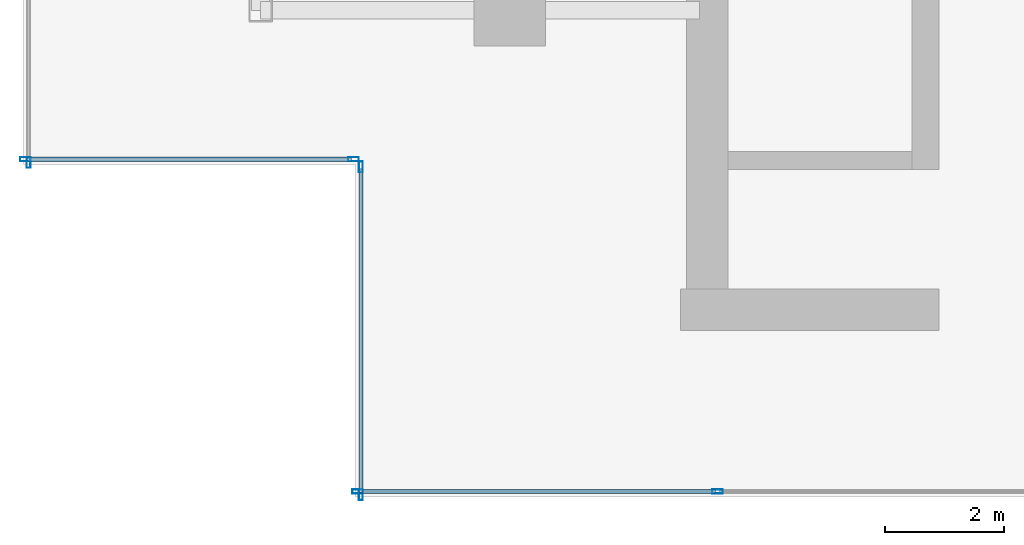
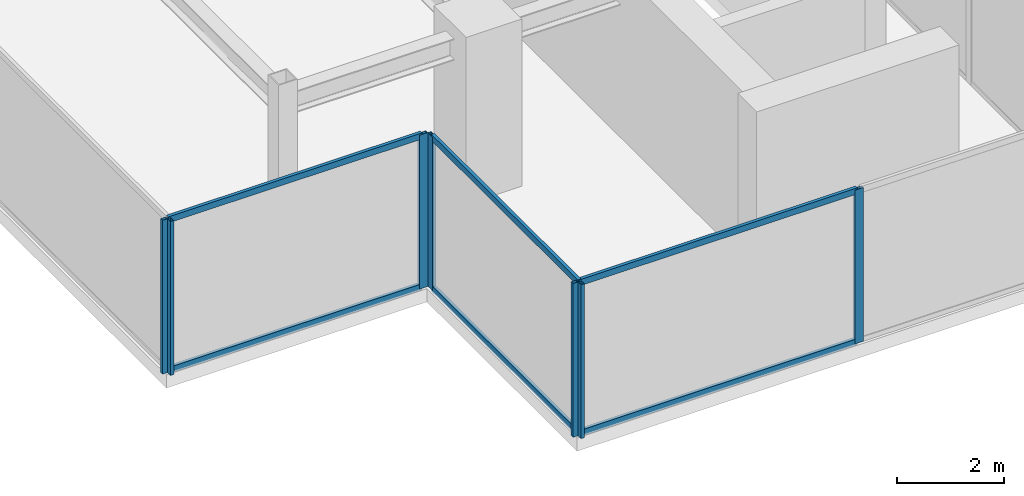
# One storey, part 2 of 25: 13 members, 4 elements without a shape of their own.
"""IFC4 building model written with IfcOpenShell, lengths in metres."""

import ifcopenshell
import ifcopenshell.guid

model = None  # the IFC model being written
_history = None  # IfcOwnerHistory: only IFC2X3 demands one
_inside = {}  # id of a spatial element -> (the spatial element, [elements in it])
_under = {}  # id of a project, library or spatial element -> (it, [spatial elements below it])
_declared = {}  # id of a project -> (the project, [libraries it declares])
_typed = {}  # id of a type object -> (the type object, [elements of that type])
_made_of = {}  # id of a material, layer set ... -> (it, [elements and type objects made of it])


def new_model(schema):
    """Start an empty IFC model of exactly this schema.

    Asked for "IFC4X3", IfcOpenShell would pick the latest addendum, in which some entities
    have other attributes; the version numbers below select the first issue.
    IFC2X3 requires an IfcOwnerHistory on every rooted entity: one is made here for all.
    """
    global model, _history
    if schema == "IFC4X3":
        model = ifcopenshell.file(schema_version=(4, 3, 0, 0))
    else:
        model = ifcopenshell.file(schema=schema)
    _inside.clear()
    _under.clear()
    _declared.clear()
    _typed.clear()
    _made_of.clear()
    _history = None
    if model.schema == "IFC2X3":
        org = make("IfcOrganization", Name="unknown")
        user = make(
            "IfcPersonAndOrganization",
            ThePerson=make("IfcPerson", FamilyName="unknown"),
            TheOrganization=org,
        )
        app = make(
            "IfcApplication",
            ApplicationDeveloper=org,
            Version="unknown",
            ApplicationFullName="unknown",
            ApplicationIdentifier="unknown",
        )
        _history = make(
            "IfcOwnerHistory",
            OwningUser=user,
            OwningApplication=app,
            ChangeAction="ADDED",
            CreationDate=0,
        )
    return model


def make(cls, **values):
    """One entity of the class cls with the attributes given. An attribute that is None is left unset."""
    return model.create_entity(
        cls, **{name: value for name, value in values.items() if value is not None}
    )


def rooted(cls, **values):
    """An entity with a GlobalId (a new one), such as an element, a storey or a relation."""
    return make(cls, GlobalId=ifcopenshell.guid.new(), OwnerHistory=_history, **values)


def si_unit(unit_type, name, prefix=None):
    """IfcSIUnit, for example si_unit("LENGTHUNIT", "METRE", prefix="MILLI")."""
    return make("IfcSIUnit", UnitType=unit_type, Prefix=prefix, Name=name)


def assignment(units):
    """IfcUnitAssignment: the units of a project."""
    return None if units is None else make("IfcUnitAssignment", Units=units)


def point(xyz):
    """IfcCartesianPoint."""
    return None if xyz is None else make("IfcCartesianPoint", Coordinates=xyz)


def direction(xyz):
    """IfcDirection."""
    return None if xyz is None else make("IfcDirection", DirectionRatios=xyz)


def frame(location, z_axis=None, x_axis=None):
    """IfcAxis2Placement3D, a coordinate frame: its origin and axes. An axis left out is left unset."""
    return make(
        "IfcAxis2Placement3D",
        Location=point(location),
        Axis=direction(z_axis),
        RefDirection=direction(x_axis),
    )


def frame_2d(location, x_axis=None):
    """IfcAxis2Placement2D, a coordinate frame in the plane: its origin and x axis."""
    return make(
        "IfcAxis2Placement2D", Location=point(location), RefDirection=direction(x_axis)
    )


def origin():
    """The frame at (0, 0, 0) with its axes left unset."""
    return frame((0.0, 0.0, 0.0))


def origin_2d():
    """The frame at (0, 0) in the plane with its x axis left unset."""
    return frame_2d((0.0, 0.0))


def place(relative_to, where):
    """IfcLocalPlacement: puts the frame where relative to a parent placement (None: the world)."""
    return make(
        "IfcLocalPlacement", PlacementRelTo=relative_to, RelativePlacement=where
    )


def context(
    kind, dimensions, precision=None, world=None, true_north=None, identifier=None
):
    """IfcGeometricRepresentationContext, for example the 3D "Model" context."""
    return make(
        "IfcGeometricRepresentationContext",
        ContextIdentifier=identifier,
        ContextType=kind,
        CoordinateSpaceDimension=dimensions,
        Precision=precision,
        WorldCoordinateSystem=world,
        TrueNorth=true_north,
    )


def subcontext(parent, identifier, kind, view, scale=None):
    """IfcGeometricRepresentationSubContext, for example "Body" below "Model"."""
    return make(
        "IfcGeometricRepresentationSubContext",
        ContextIdentifier=identifier,
        ContextType=kind,
        ParentContext=parent,
        TargetScale=scale,
        TargetView=view,
    )


def project(units=None, contexts=None):
    """IfcProject with its units and contexts."""
    return rooted(
        "IfcProject",
        Name="project",
        RepresentationContexts=contexts,
        UnitsInContext=assignment(units),
    )


def spatial(cls, under=None, at=None, **own):
    """A site, building, storey or space (cls), placed at a placement, below another one or the project."""
    s = rooted(cls, ObjectPlacement=at, **own)
    if under is not None:
        _under.setdefault(under.id(), (under, []))[1].append(s)
    return s


def profile(cls, at=None, kind="AREA", **sizes):
    """A parametric profile (cls). Its sizes go by their IFC names, for example OverallWidth=200.0."""
    return make(cls, ProfileType=kind, Position=at, **sizes)


def hollow_rectangle(**sizes):
    """IfcRectangleHollowProfileDef."""
    return profile("IfcRectangleHollowProfileDef", **sizes)


def extrude(swept, where, along, depth):
    """IfcExtrudedAreaSolid: the profile swept, set in the frame where, extruded along a direction by depth."""
    return make(
        "IfcExtrudedAreaSolid",
        SweptArea=swept,
        Position=where,
        ExtrudedDirection=direction(along),
        Depth=depth,
    )


def shape(context_of_items, identifier, shape_type, items):
    """IfcShapeRepresentation: the items that make up one representation, for example the "Body"."""
    return make(
        "IfcShapeRepresentation",
        ContextOfItems=context_of_items,
        RepresentationIdentifier=identifier,
        RepresentationType=shape_type,
        Items=items,
    )


def source(mapping_origin, context_of_items, identifier, shape_type, items):
    """IfcRepresentationMap: a shape defined once, which mapped items show again and again."""
    return make(
        "IfcRepresentationMap",
        MappingOrigin=mapping_origin,
        MappedRepresentation=shape(context_of_items, identifier, shape_type, items),
    )


def transform(
    local_origin,
    x_axis=None,
    y_axis=None,
    z_axis=None,
    scale=None,
    scale2=None,
    scale3=None,
    uniform=True,
):
    """IfcCartesianTransformationOperator3D, or its non-uniform kind. x_axis, y_axis, z_axis: its Axis1, 2, 3."""
    if uniform:
        return make(
            "IfcCartesianTransformationOperator3D",
            Axis1=direction(x_axis),
            Axis2=direction(y_axis),
            LocalOrigin=point(local_origin),
            Scale=scale,
            Axis3=direction(z_axis),
        )
    return make(
        "IfcCartesianTransformationOperator3DnonUniform",
        Axis1=direction(x_axis),
        Axis2=direction(y_axis),
        LocalOrigin=point(local_origin),
        Scale=scale,
        Axis3=direction(z_axis),
        Scale2=scale2,
        Scale3=scale3,
    )


def mapped(mapping_source, mapping_target):
    """IfcMappedItem: shows the shape of a source again, moved by a transform."""
    return make(
        "IfcMappedItem", MappingSource=mapping_source, MappingTarget=mapping_target
    )


def material(Name=None, Category=None):
    """IfcMaterial."""
    return make("IfcMaterial", Name=Name, Category=Category)


def material_profile(
    of_material, cross_section, Name=None, Category=None, Priority=None
):
    """IfcMaterialProfile: a cross section and its material."""
    return make(
        "IfcMaterialProfile",
        Name=Name,
        Material=of_material,
        Profile=cross_section,
        Priority=Priority,
        Category=Category,
    )


def profile_set(profiles, Name=None, composite=None):
    """IfcMaterialProfileSet."""
    return make(
        "IfcMaterialProfileSet",
        Name=Name,
        MaterialProfiles=profiles,
        CompositeProfile=composite,
    )


def made_of(thing, what):
    """Note that an element or type object is made of a material, layer set ...; save() writes the relation."""
    if what is not None:
        _made_of.setdefault(what.id(), (what, []))[1].append(thing)
    return thing


def type_object(cls, material=None, **own):
    """A type object (cls), such as IfcWallType, which elements share."""
    return made_of(rooted(cls, **own), material)


def type_shapes(of_type, sources):
    """Give a type object the sources (RepresentationMaps) that its elements show as mapped items."""
    of_type.RepresentationMaps = sources


def element(
    cls,
    number,
    at=None,
    inside=None,
    cuts=None,
    type_object=None,
    material=None,
    context=None,
    identifier="Body",
    shape_type=None,
    held_by="IfcProductDefinitionShape",
    body=None,
    shapes=None,
    **own,
):
    """One element of the class cls, such as IfcWall. Its Tag is "e" and its number.

    at: its placement. inside: the storey or other place that contains it. cuts: it is an
    opening in that element (IfcRelVoidsElement). A single representation is given by context,
    identifier, shape_type and body (its items); several are given by shapes. held_by: the class
    of the entity that holds the representations. save() writes the other relations.
    """
    e = rooted(cls, Tag="e%d" % number, ObjectPlacement=at, **own)
    if body is not None:
        shapes = [shape(context, identifier, shape_type, body)]
    if shapes is not None:
        e.Representation = make(held_by, Representations=shapes)
    if inside is not None:
        _inside.setdefault(inside.id(), (inside, []))[1].append(e)
    if cuts is not None:
        rooted(
            "IfcRelVoidsElement", RelatingBuildingElement=cuts, RelatedOpeningElement=e
        )
    if type_object is not None:
        _typed.setdefault(type_object.id(), (type_object, []))[1].append(e)
    return made_of(e, material)


def aggregate(whole, parts):
    """IfcRelAggregates: a whole, such as a stair, and the parts it consists of."""
    return rooted("IfcRelAggregates", RelatingObject=whole, RelatedObjects=parts)


def save(model, path):
    """Write the relations noted so far, then the file.

    IfcRelAggregates (storeys below a building ...), IfcRelContainedInSpatialStructure (elements
    in a storey), IfcRelDefinesByType, IfcRelAssociatesMaterial and IfcRelDeclares: one each for
    every whole, place, type object, material and project.
    """
    for whole, parts in _under.values():
        aggregate(whole, parts)
    for where, things in _inside.values():
        rooted(
            "IfcRelContainedInSpatialStructure",
            RelatedElements=things,
            RelatingStructure=where,
        )
    for kind, things in _typed.values():
        rooted("IfcRelDefinesByType", RelatedObjects=things, RelatingType=kind)
    for what, things in _made_of.values():
        rooted("IfcRelAssociatesMaterial", RelatedObjects=things, RelatingMaterial=what)
    for by, libraries in _declared.values():
        rooted("IfcRelDeclares", RelatingContext=by, RelatedDefinitions=libraries)
    model.write(path)


model = new_model("IFC4")

# Units and contexts
model_context = context("Model", 3, precision=1e-05, world=origin(), true_north=direction((0.0, 1.0)))
body_context = subcontext(model_context, "Body", "Model", "MODEL_VIEW")
ifc_project = project(units=[si_unit("LENGTHUNIT", "METRE"), si_unit("AREAUNIT", "SQUARE_METRE"), si_unit("VOLUMEUNIT", "CUBIC_METRE"), si_unit("PLANEANGLEUNIT", "RADIAN"), si_unit("MASSUNIT", "GRAM", prefix="KILO")], contexts=[model_context])

# Site, building, storey
site_placement = place(None, origin())
site = spatial("IfcSite", under=ifc_project, at=site_placement, CompositionType="ELEMENT")
building_placement = place(site_placement, origin())
building = spatial("IfcBuilding", under=site, at=building_placement, Name="Krantzveldt Concourse Tower", CompositionType="ELEMENT")
storey_placement = place(building_placement, frame((0.0, 0.0, 370.85009765625)))
storey = spatial("IfcBuildingStorey", under=building, at=storey_placement, Name="L91", CompositionType="ELEMENT", Elevation=370.85009765625)

# Curtain wall, members
ifc_material = material(Name="Anodised aluminium 6063-T6", Category="aluminium")
curtain_wall_type = type_object("IfcCurtainWallType", Name="CW7", PredefinedType="USERDEFINED", material=ifc_material)
curtain_wall_1_placement = place(storey_placement, origin())
curtain_wall_1 = element("IfcCurtainWall", 1, at=curtain_wall_1_placement, inside=storey, type_object=curtain_wall_type, Name="CW-L91-WEST-00", ObjectType="UNITISED CURTAIN WALL", PredefinedType="USERDEFINED")
ifc_material_profile_1 = material_profile(ifc_material, hollow_rectangle(XDim=0.070068359375, YDim=0.179931640625, WallThickness=0.0048828125, at=origin_2d()), Name="Anodised aluminium 6063-T6", Category="aluminium")
ifc_profile_set_1 = profile_set([ifc_material_profile_1], Name="Anodised aluminium 6063-T6 - ALU-MULL 180x70x5")
member_type_1 = type_object("IfcMemberType", Name="CW-MUL-180", PredefinedType="MULLION", material=ifc_profile_set_1)
shared_shape_1 = source(origin(), body_context, "Body", "SweptSolid", [
    extrude(hollow_rectangle(XDim=0.070068359375, YDim=0.179931640625, WallThickness=0.0048828125, at=origin_2d()), origin(), (0.0, 0.0, 1.0), 3.5),
])
type_shapes(member_type_1, [shared_shape_1])
member_1_placement = place(storey_placement, frame((22.635009765625, 7.7900390625, 0.0), z_axis=(0.0, 0.0, 1.0), x_axis=(0.0, 1.0, 0.0)))
member_1 = element("IfcMember", 2, at=member_1_placement, type_object=member_type_1, Name="CW-CRN mullion 1", PredefinedType="MULLION", context=body_context, shape_type="MappedRepresentation", body=[
    mapped(shared_shape_1, transform((0.0, 0.0, 0.0), x_axis=(1.0, 0.0, 0.0), y_axis=(0.0, 1.0, 0.0), z_axis=(0.0, 0.0, 1.0), scale=1.0)),
])
member_2_placement = place(storey_placement, frame((28.699951171875, 7.7900390625, 0.0), z_axis=(0.0, 0.0, 1.0), x_axis=(0.0, 1.0, 0.0)))
member_2 = element("IfcMember", 3, at=member_2_placement, type_object=member_type_1, Name="CW-CRN mullion 2", PredefinedType="MULLION", context=body_context, shape_type="MappedRepresentation", body=[
    mapped(shared_shape_1, transform((0.0, 0.0, 0.0), x_axis=(1.0, 0.0, 0.0), y_axis=(0.0, 1.0, 0.0), z_axis=(0.0, 0.0, 1.0), scale=1.0)),
])

# Curtain wall, member
curtain_wall_2_placement = place(storey_placement, origin())
curtain_wall_2 = element("IfcCurtainWall", 4, at=curtain_wall_2_placement, inside=storey, type_object=curtain_wall_type, Name="CW-L91-WEST-05", ObjectType="UNITISED CURTAIN WALL", PredefinedType="USERDEFINED")
member_3_placement = place(storey_placement, frame((17.090087890625, 13.3349609375, 0.0), z_axis=(0.0, 0.0, 1.0), x_axis=(1.0, 0.0, 0.0)))
member_3 = element("IfcMember", 5, at=member_3_placement, type_object=member_type_1, Name="CW-CRN mullion 5", PredefinedType="MULLION", context=body_context, shape_type="MappedRepresentation", body=[
    mapped(shared_shape_1, transform((0.0, 0.0, 0.0), x_axis=(1.0, 0.0, 0.0), y_axis=(0.0, 1.0, 0.0), z_axis=(0.0, 0.0, 1.0), scale=1.0)),
])
aggregate(curtain_wall_2, [member_3])

# Curtain wall, members
curtain_wall_3_placement = place(storey_placement, origin())
curtain_wall_3 = element("IfcCurtainWall", 6, at=curtain_wall_3_placement, inside=storey, type_object=curtain_wall_type, Name="CW-L91-WEST-06", ObjectType="UNITISED CURTAIN WALL", PredefinedType="USERDEFINED")
member_4_placement = place(storey_placement, frame((17.034912109375, 13.389892578125, 0.0), z_axis=(0.0, 0.0, 1.0), x_axis=(0.0, 1.0, 0.0)))
member_4 = element("IfcMember", 7, at=member_4_placement, type_object=member_type_1, Name="CW-CRN mullion 1", PredefinedType="MULLION", context=body_context, shape_type="MappedRepresentation", body=[
    mapped(shared_shape_1, transform((0.0, 0.0, 0.0), x_axis=(1.0, 0.0, 0.0), y_axis=(0.0, 1.0, 0.0), z_axis=(0.0, 0.0, 1.0), scale=1.0)),
])
member_5_placement = place(storey_placement, frame((22.56494140625, 13.389892578125, 0.0), z_axis=(0.0, 0.0, 1.0), x_axis=(0.0, 1.0, 0.0)))
member_5 = element("IfcMember", 8, at=member_5_placement, type_object=member_type_1, Name="CW-CRN mullion 2", PredefinedType="MULLION", context=body_context, shape_type="MappedRepresentation", body=[
    mapped(shared_shape_1, transform((0.0, 0.0, 0.0), x_axis=(1.0, 0.0, 0.0), y_axis=(0.0, 1.0, 0.0), z_axis=(0.0, 0.0, 1.0), scale=1.0)),
])

curtain_wall_4_placement = place(storey_placement, origin())
curtain_wall_4 = element("IfcCurtainWall", 9, at=curtain_wall_4_placement, inside=storey, type_object=curtain_wall_type, Name="CW-L91-WEST-07", ObjectType="UNITISED CURTAIN WALL", PredefinedType="USERDEFINED")
member_6_placement = place(storey_placement, frame((22.68994140625, 13.264892578125, 0.0), z_axis=(0.0, 0.0, 1.0), x_axis=(1.0, 0.0, 0.0)))
member_6 = element("IfcMember", 10, at=member_6_placement, type_object=member_type_1, Name="CW-CRN mullion 1", PredefinedType="MULLION", context=body_context, shape_type="MappedRepresentation", body=[
    mapped(shared_shape_1, transform((0.0, 0.0, 0.0), x_axis=(1.0, 0.0, 0.0), y_axis=(0.0, 1.0, 0.0), z_axis=(0.0, 0.0, 1.0), scale=1.0)),
])
member_7_placement = place(storey_placement, frame((22.68994140625, 7.735107421875, 0.0), z_axis=(0.0, 0.0, 1.0), x_axis=(1.0, 0.0, 0.0)))
member_7 = element("IfcMember", 11, at=member_7_placement, type_object=member_type_1, Name="CW-CRN mullion 2", PredefinedType="MULLION", context=body_context, shape_type="MappedRepresentation", body=[
    mapped(shared_shape_1, transform((0.0, 0.0, 0.0), x_axis=(1.0, 0.0, 0.0), y_axis=(0.0, 1.0, 0.0), z_axis=(0.0, 0.0, 1.0), scale=1.0)),
])

# Member
ifc_material_profile_2 = material_profile(ifc_material, hollow_rectangle(XDim=0.070068359375, YDim=0.139892578125, WallThickness=0.0048828125, at=origin_2d()), Name="Anodised aluminium 6063-T6", Category="aluminium")
ifc_profile_set_2 = profile_set([ifc_material_profile_2], Name="Anodised aluminium 6063-T6 - ALU-TRAN 140x70x5")
member_type_2 = type_object("IfcMemberType", Name="CW-TRN-150", PredefinedType="USERDEFINED", material=ifc_profile_set_2)
shared_shape_2 = source(origin(), body_context, "Body", "SweptSolid", [
    extrude(hollow_rectangle(XDim=0.070068359375, YDim=0.139892578125, WallThickness=0.0048828125, at=origin_2d()), origin(), (0.0, 0.0, 1.0), 5.4599609375),
])
member_8_placement = place(storey_placement, frame((17.070068359375, 13.389892578125, 0.034912109375), z_axis=(1.0, 0.0, 0.0), x_axis=(0.0, 1.0, 0.0)))
member_8 = element("IfcMember", 12, at=member_8_placement, type_object=member_type_2, Name="CW-CRN transom 1.1", ObjectType="TRANSOM", PredefinedType="USERDEFINED", context=body_context, shape_type="MappedRepresentation", body=[
    mapped(shared_shape_2, transform((0.0, 0.0, 0.0), x_axis=(1.0, 0.0, 0.0), y_axis=(0.0, 1.0, 0.0), z_axis=(0.0, 0.0, 1.0), scale=1.0)),
])

member_9_placement = place(storey_placement, frame((17.070068359375, 13.389892578125, 3.46484375), z_axis=(1.0, 0.0, 0.0), x_axis=(0.0, 1.0, 0.0)))
member_9 = element("IfcMember", 13, at=member_9_placement, type_object=member_type_2, Name="CW-CRN transom 1.2", ObjectType="TRANSOM", PredefinedType="USERDEFINED", context=body_context, shape_type="MappedRepresentation", body=[
    mapped(shared_shape_2, transform((0.0, 0.0, 0.0), x_axis=(1.0, 0.0, 0.0), y_axis=(0.0, 1.0, 0.0), z_axis=(0.0, 0.0, 1.0), scale=1.0)),
])

aggregate(curtain_wall_3, [member_4, member_5, member_8, member_9])

member_10_placement = place(storey_placement, frame((22.68994140625, 13.22998046875, 0.034912109375), z_axis=(0.0, -1.0, 0.0), x_axis=(1.0, 0.0, 0.0)))
member_10 = element("IfcMember", 14, at=member_10_placement, type_object=member_type_2, Name="CW-CRN transom 1.1", ObjectType="TRANSOM", PredefinedType="USERDEFINED", context=body_context, shape_type="MappedRepresentation", body=[
    mapped(shared_shape_2, transform((0.0, 0.0, 0.0), x_axis=(1.0, 0.0, 0.0), y_axis=(0.0, 1.0, 0.0), z_axis=(0.0, 0.0, 1.0), scale=1.0)),
])

member_11_placement = place(storey_placement, frame((22.68994140625, 13.22998046875, 3.46484375), z_axis=(0.0, -1.0, 0.0), x_axis=(1.0, 0.0, 0.0)))
member_11 = element("IfcMember", 15, at=member_11_placement, type_object=member_type_2, Name="CW-CRN transom 1.2", ObjectType="TRANSOM", PredefinedType="USERDEFINED", context=body_context, shape_type="MappedRepresentation", body=[
    mapped(shared_shape_2, transform((0.0, 0.0, 0.0), x_axis=(1.0, 0.0, 0.0), y_axis=(0.0, 1.0, 0.0), z_axis=(0.0, 0.0, 1.0), scale=1.0)),
])

aggregate(curtain_wall_4, [member_6, member_7, member_10, member_11])

shared_shape_3 = source(origin(), body_context, "Body", "SweptSolid", [
    extrude(hollow_rectangle(XDim=0.070068359375, YDim=0.139892578125, WallThickness=0.0048828125, at=origin_2d()), origin(), (0.0, 0.0, 1.0), 5.9951171875),
])
type_shapes(member_type_2, [shared_shape_2, shared_shape_3])
member_12_placement = place(storey_placement, frame((22.669921875, 7.7900390625, 0.034912109375), z_axis=(1.0, 0.0, 0.0), x_axis=(0.0, 1.0, 0.0)))
member_12 = element("IfcMember", 16, at=member_12_placement, type_object=member_type_2, Name="CW-CRN transom 1.1", ObjectType="TRANSOM", PredefinedType="USERDEFINED", context=body_context, shape_type="MappedRepresentation", body=[
    mapped(shared_shape_3, transform((0.0, 0.0, 0.0), x_axis=(1.0, 0.0, 0.0), y_axis=(0.0, 1.0, 0.0), z_axis=(0.0, 0.0, 1.0), scale=1.0)),
])

member_13_placement = place(storey_placement, frame((22.669921875, 7.7900390625, 3.46484375), z_axis=(1.0, 0.0, 0.0), x_axis=(0.0, 1.0, 0.0)))
member_13 = element("IfcMember", 17, at=member_13_placement, type_object=member_type_2, Name="CW-CRN transom 1.2", ObjectType="TRANSOM", PredefinedType="USERDEFINED", context=body_context, shape_type="MappedRepresentation", body=[
    mapped(shared_shape_3, transform((0.0, 0.0, 0.0), x_axis=(1.0, 0.0, 0.0), y_axis=(0.0, 1.0, 0.0), z_axis=(0.0, 0.0, 1.0), scale=1.0)),
])

aggregate(curtain_wall_1, [member_1, member_2, member_12, member_13])

save(model, "model.ifc")
